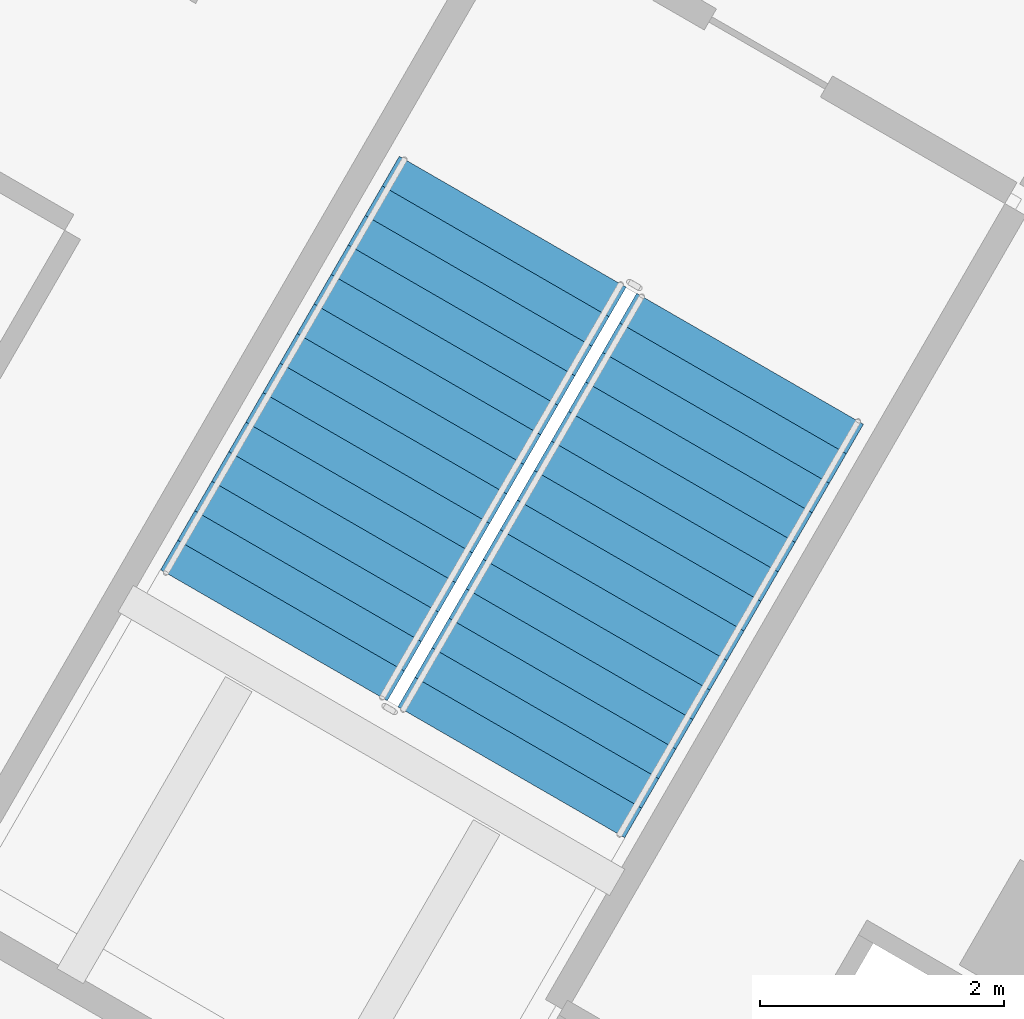
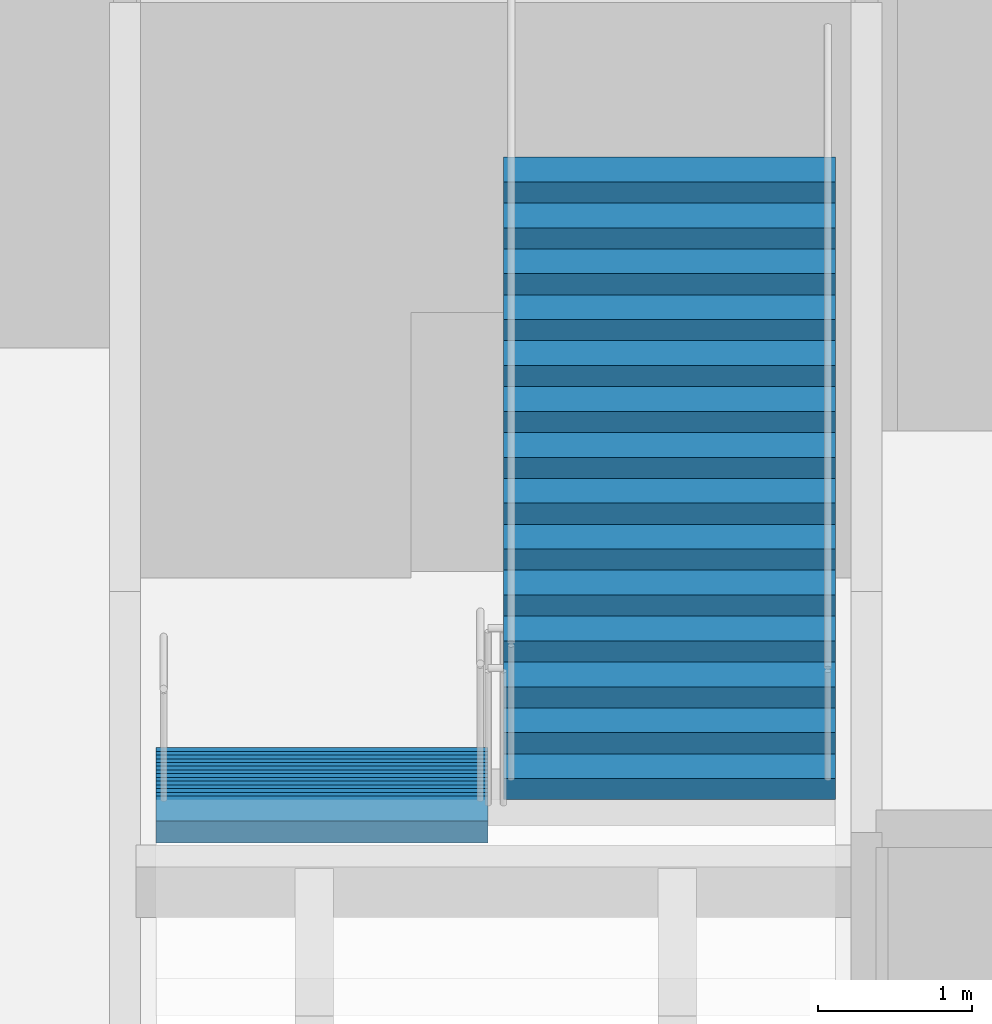
# One storey, part 13 of 24: 2 stair flights, 1 element without a shape of its own.
"""IFC4 building model written with IfcOpenShell, lengths in metres."""

from ifc_helpers import new_model, si_unit, direction, frame, origin, place, context, subcontext, project, spatial, triangles, material, type_object, element, aggregate, save


model = new_model("IFC4")

# Units and contexts
model_context = context("Model", 3, precision=1e-05, world=origin(), true_north=direction((0.0, 1.0)))
body_context = subcontext(model_context, "Body", "Model", "MODEL_VIEW")
ifc_project = project(units=[si_unit("LENGTHUNIT", "METRE"), si_unit("AREAUNIT", "SQUARE_METRE"), si_unit("VOLUMEUNIT", "CUBIC_METRE"), si_unit("PLANEANGLEUNIT", "RADIAN"), si_unit("MASSUNIT", "GRAM", prefix="KILO")], contexts=[model_context])

# Site, building, storey
site_placement = place(None, origin())
site = spatial("IfcSite", under=ifc_project, at=site_placement, CompositionType="ELEMENT")
building_placement = place(site_placement, origin())
building = spatial("IfcBuilding", under=site, at=building_placement, Name="Verdalira Terraces Hotel", CompositionType="ELEMENT")
storey_placement = place(building_placement, frame((0.0, 0.0, 14.0)))
storey = spatial("IfcBuildingStorey", under=building, at=storey_placement, Name="L02", CompositionType="ELEMENT", Elevation=14.0)

# Stair, stair flights
ifc_material_1 = material(Name="Concrete C40", Category="concrete")
stair_type = type_object("IfcStairType", Name="Podium stair 30 risers", PredefinedType="HALF_TURN_STAIR", material=ifc_material_1)
stair_placement = place(storey_placement, origin())
stair = element("IfcStair", 1, at=stair_placement, inside=storey, type_object=stair_type, Name="L02 Exit stair PS3", PredefinedType="HALF_TURN_STAIR")
ifc_material_2 = material(Name="Concrete C40", Category="concrete")
stair_flight_type = type_object("IfcStairFlightType", Name="Podium stair flight 30 risers", PredefinedType="STRAIGHT", material=ifc_material_2)
stair_flight_1_placement = place(storey_placement, frame((27.806396, -15.187988, 0.0), z_axis=(0.0, 0.0, 1.0), x_axis=(-0.5, -0.866025404, 0.0)))
stair_flight_1 = element("IfcStairFlight", 2, at=stair_flight_1_placement, type_object=stair_flight_type, Name="PS3 flight 1", NumberOfRisers=15, NumberOfTreads=14, PredefinedType="STRAIGHT", RiserHeight=0.166666667, TreadLength=0.28, context=body_context, shape_type="Tessellation", body=[
    triangles([(0.0, 1.074951, 0.0), (0.292969, 1.074951, 0.0), (3.919922, 1.074951, 2.158936), (0.0, -1.074951, 0.0), (0.292969, -1.074951, 0.0), (3.919922, -1.074951, 2.158936), (3.919922, 1.074951, 2.333252), (3.639893, 1.074951, 2.333252), (3.919922, -1.074951, 2.333252), (3.639893, -1.074951, 2.333252), (3.639893, 1.074951, 2.166748), (3.639893, -1.074951, 2.166748), (3.360107, 1.074951, 2.166748), (3.360107, -1.074951, 2.166748), (3.360107, 1.074951, 2.0), (3.360107, -1.074951, 2.0), (3.080078, 1.074951, 2.0), (3.080078, 1.074951, 1.833252), (3.080078, -1.074951, 2.0), (3.080078, -1.074951, 1.833252), (2.800049, 1.074951, 1.833252), (2.800049, 1.074951, 1.666748), (2.800049, -1.074951, 1.833252), (2.800049, -1.074951, 1.666748), (2.52002, 1.074951, 1.666748), (2.52002, 1.074951, 1.5), (2.52002, -1.074951, 1.666748), (2.52002, -1.074951, 1.5), (2.23999, 1.074951, 1.5), (2.23999, 1.074951, 1.333252), (2.23999, -1.074951, 1.5), (2.23999, -1.074951, 1.333252), (1.959961, 1.074951, 1.333252), (1.959961, 1.074951, 1.166748), (1.959961, -1.074951, 1.333252), (1.959961, -1.074951, 1.166748), (1.679932, 1.074951, 1.166748), (1.679932, 1.074951, 1.0), (1.679932, -1.074951, 1.166748), (1.679932, -1.074951, 1.0), (1.399902, 1.074951, 1.0), (1.399902, 1.074951, 0.833252), (1.399902, -1.074951, 1.0), (1.399902, -1.074951, 0.833252), (1.120117, 1.074951, 0.833252), (1.120117, 1.074951, 0.666748), (1.120117, -1.074951, 0.833252), (1.120117, -1.074951, 0.666748), (0.840088, 1.074951, 0.666748), (0.840088, 1.074951, 0.5), (0.840088, -1.074951, 0.666748), (0.840088, -1.074951, 0.5), (0.560059, 1.074951, 0.5), (0.560059, 1.074951, 0.333252), (0.560059, -1.074951, 0.5), (0.560059, -1.074951, 0.333252), (0.280029, 1.074951, 0.333252), (0.280029, 1.074951, 0.166748), (0.280029, -1.074951, 0.333252), (0.280029, -1.074951, 0.166748), (0.0, 1.074951, 0.166748), (0.0, -1.074951, 0.166748), (0.0, -1.007767, 0.0), (0.0, -1.007767, 0.166748), (0.0, -0.940582, 0.0), (0.0, -0.940582, 0.166748), (0.0, -0.873398, 0.0), (0.0, -0.873398, 0.166748), (0.0, -0.806213, 0.0), (0.0, -0.806213, 0.166748), (0.0, -0.739029, 0.0), (0.0, -0.739029, 0.166748), (0.0, -0.671844, 0.0), (0.0, -0.671844, 0.166748), (0.0, -0.60466, 0.0), (0.0, -0.60466, 0.166748), (0.0, -0.537476, 0.0), (0.0, -0.537476, 0.166748), (0.0, -0.470291, 0.0), (0.0, -0.470291, 0.166748), (0.0, -0.403107, 0.0), (0.0, -0.403107, 0.166748), (0.0, -0.335922, 0.0), (0.0, -0.335922, 0.166748), (0.0, -0.268738, 0.0), (0.0, -0.268738, 0.166748), (0.0, -0.201553, 0.0), (0.0, -0.201553, 0.166748), (0.0, -0.134369, 0.0), (0.0, -0.134369, 0.166748), (0.0, -0.067184, 0.0), (0.0, -0.067184, 0.166748), (0.0, 0.0, 0.0), (0.0, 0.0, 0.166748), (0.0, 0.067184, 0.0), (0.0, 0.067184, 0.166748), (0.0, 0.134369, 0.0), (0.0, 0.134369, 0.166748), (0.0, 0.201553, 0.0), (0.0, 0.201553, 0.166748), (0.0, 0.268738, 0.0), (0.0, 0.268738, 0.166748), (0.0, 0.335922, 0.0), (0.0, 0.335922, 0.166748), (0.0, 0.403107, 0.0), (0.0, 0.403107, 0.166748), (0.0, 0.470291, 0.0), (0.0, 0.470291, 0.166748), (0.0, 0.537476, 0.0), (0.0, 0.537476, 0.166748), (0.0, 0.60466, 0.0), (0.0, 0.60466, 0.166748), (0.0, 0.671844, 0.0), (0.0, 0.671844, 0.166748), (0.0, 0.739029, 0.0), (0.0, 0.739029, 0.166748), (0.0, 0.806213, 0.0), (0.0, 0.806213, 0.166748), (0.0, 0.873398, 0.0), (0.0, 0.873398, 0.166748), (0.0, 0.940582, 0.0), (0.0, 0.940582, 0.166748), (0.0, 1.007767, 0.0), (0.0, 1.007767, 0.166748), (3.919922, -1.007767, 2.333252), (3.919922, -0.940582, 2.333252), (3.919922, -0.873398, 2.333252), (3.919922, -0.806213, 2.333252), (3.919922, -0.739029, 2.333252), (3.919922, -0.671844, 2.333252), (3.919922, -0.60466, 2.333252), (3.919922, -0.537476, 2.333252), (3.919922, -0.470291, 2.333252), (3.919922, -0.403107, 2.333252), (3.919922, -0.335922, 2.333252), (3.919922, -0.268738, 2.333252), (3.919922, -0.201553, 2.333252), (3.919922, -0.134369, 2.333252), (3.919922, -0.067184, 2.333252), (3.919922, 0.0, 2.333252), (3.919922, 0.067184, 2.333252), (3.919922, 0.134369, 2.333252), (3.919922, 0.201553, 2.333252), (3.919922, 0.268738, 2.333252), (3.919922, 0.335922, 2.333252), (3.919922, 0.403107, 2.333252), (3.919922, 0.470291, 2.333252), (3.919922, 0.537476, 2.333252), (3.919922, 0.60466, 2.333252), (3.919922, 0.671844, 2.333252), (3.919922, 0.739029, 2.333252), (3.919922, 0.806213, 2.333252), (3.919922, 0.873398, 2.333252), (3.919922, 0.940582, 2.333252), (3.919922, 1.007767, 2.333252), (3.919922, -1.007767, 2.158936), (3.919922, -0.940582, 2.158936), (3.919922, -0.873398, 2.158936), (3.919922, -0.806213, 2.158936), (3.919922, -0.739029, 2.158936), (3.919922, -0.671844, 2.158936), (3.919922, -0.60466, 2.158936), (3.919922, -0.537476, 2.158936), (3.919922, -0.470291, 2.158936), (3.919922, -0.403107, 2.158936), (3.919922, -0.335922, 2.158936), (3.919922, -0.268738, 2.158936), (3.919922, -0.201553, 2.158936), (3.919922, -0.134369, 2.158936), (3.919922, -0.067184, 2.158936), (3.919922, 0.0, 2.158936), (3.919922, 0.067184, 2.158936), (3.919922, 0.134369, 2.158936), (3.919922, 0.201553, 2.158936), (3.919922, 0.268738, 2.158936), (3.919922, 0.335922, 2.158936), (3.919922, 0.403107, 2.158936), (3.919922, 0.470291, 2.158936), (3.919922, 0.537476, 2.158936), (3.919922, 0.60466, 2.158936), (3.919922, 0.671844, 2.158936), (3.919922, 0.739029, 2.158936), (3.919922, 0.806213, 2.158936), (3.919922, 0.873398, 2.158936), (3.919922, 0.940582, 2.158936), (3.919922, 1.007767, 2.158936)], [[1, 3, 2], [4, 5, 6], [3, 8, 7], [6, 9, 10], [3, 11, 8], [6, 10, 12], [3, 13, 11], [6, 12, 14], [3, 15, 13], [6, 14, 16], [15, 18, 17], [16, 19, 20], [3, 18, 15], [6, 16, 20], [18, 22, 21], [20, 23, 24], [3, 22, 18], [6, 20, 24], [22, 26, 25], [24, 27, 28], [3, 26, 22], [6, 24, 28], [26, 30, 29], [28, 31, 32], [3, 30, 26], [6, 28, 32], [30, 34, 33], [32, 35, 36], [3, 34, 30], [6, 32, 36], [34, 38, 37], [36, 39, 40], [3, 38, 34], [6, 36, 40], [38, 42, 41], [40, 43, 44], [3, 42, 38], [6, 40, 44], [42, 46, 45], [44, 47, 48], [3, 46, 42], [6, 44, 48], [46, 50, 49], [48, 51, 52], [3, 50, 46], [6, 48, 52], [50, 54, 53], [52, 55, 56], [3, 54, 50], [6, 52, 56], [1, 54, 3], [4, 6, 56], [54, 58, 57], [56, 59, 60], [1, 58, 54], [4, 56, 60], [58, 1, 61], [60, 62, 4], [4, 64, 63], [4, 62, 64], [63, 66, 65], [63, 64, 66], [65, 68, 67], [65, 66, 68], [67, 70, 69], [67, 68, 70], [69, 72, 71], [69, 70, 72], [71, 74, 73], [71, 72, 74], [73, 76, 75], [73, 74, 76], [75, 78, 77], [75, 76, 78], [77, 80, 79], [77, 78, 80], [79, 82, 81], [79, 80, 82], [81, 84, 83], [81, 82, 84], [83, 86, 85], [83, 84, 86], [85, 88, 87], [85, 86, 88], [87, 90, 89], [87, 88, 90], [89, 92, 91], [89, 90, 92], [91, 94, 93], [91, 92, 94], [93, 96, 95], [93, 94, 96], [95, 98, 97], [95, 96, 98], [97, 100, 99], [97, 98, 100], [99, 102, 101], [99, 100, 102], [101, 104, 103], [101, 102, 104], [103, 106, 105], [103, 104, 106], [105, 108, 107], [105, 106, 108], [107, 110, 109], [107, 108, 110], [109, 112, 111], [109, 110, 112], [111, 114, 113], [111, 112, 114], [113, 116, 115], [113, 114, 116], [115, 118, 117], [115, 116, 118], [117, 120, 119], [117, 118, 120], [119, 122, 121], [119, 120, 122], [121, 124, 123], [121, 122, 124], [123, 61, 1], [123, 124, 61], [62, 60, 64], [64, 60, 66], [66, 60, 68], [68, 60, 70], [70, 60, 72], [72, 60, 74], [74, 60, 76], [76, 60, 78], [78, 60, 80], [80, 60, 82], [82, 60, 84], [84, 60, 86], [86, 60, 88], [88, 60, 90], [90, 60, 92], [92, 60, 94], [94, 60, 96], [96, 60, 98], [98, 60, 100], [100, 60, 102], [102, 60, 104], [104, 60, 106], [106, 60, 108], [108, 60, 110], [110, 60, 112], [112, 60, 114], [114, 60, 116], [116, 60, 118], [118, 60, 120], [120, 60, 122], [122, 60, 124], [124, 60, 61], [61, 60, 58], [60, 57, 58], [60, 59, 57], [59, 54, 57], [59, 56, 54], [56, 53, 54], [56, 55, 53], [55, 50, 53], [55, 52, 50], [52, 49, 50], [52, 51, 49], [51, 46, 49], [51, 48, 46], [48, 45, 46], [48, 47, 45], [47, 42, 45], [47, 44, 42], [44, 41, 42], [44, 43, 41], [43, 38, 41], [43, 40, 38], [40, 37, 38], [40, 39, 37], [39, 34, 37], [39, 36, 34], [36, 33, 34], [36, 35, 33], [35, 30, 33], [35, 32, 30], [32, 29, 30], [32, 31, 29], [31, 26, 29], [31, 28, 26], [28, 25, 26], [28, 27, 25], [27, 22, 25], [27, 24, 22], [24, 21, 22], [24, 23, 21], [23, 18, 21], [23, 20, 18], [20, 17, 18], [20, 19, 17], [19, 15, 17], [19, 16, 15], [16, 13, 15], [16, 14, 13], [14, 11, 13], [14, 12, 11], [12, 8, 11], [12, 10, 8], [9, 125, 10], [125, 126, 10], [126, 127, 10], [127, 128, 10], [128, 129, 10], [129, 130, 10], [130, 131, 10], [131, 132, 10], [132, 133, 10], [133, 134, 10], [134, 135, 10], [135, 136, 10], [136, 137, 10], [137, 138, 10], [138, 139, 10], [139, 140, 10], [140, 141, 10], [141, 142, 10], [142, 143, 10], [143, 144, 10], [144, 145, 10], [145, 146, 10], [146, 147, 10], [147, 148, 10], [148, 149, 10], [149, 150, 10], [150, 151, 10], [151, 152, 10], [152, 153, 10], [153, 154, 10], [154, 155, 10], [155, 7, 10], [7, 8, 10], [9, 156, 125], [9, 6, 156], [125, 157, 126], [125, 156, 157], [126, 158, 127], [126, 157, 158], [127, 159, 128], [127, 158, 159], [128, 160, 129], [128, 159, 160], [129, 161, 130], [129, 160, 161], [130, 162, 131], [130, 161, 162], [131, 163, 132], [131, 162, 163], [132, 164, 133], [132, 163, 164], [133, 165, 134], [133, 164, 165], [134, 166, 135], [134, 165, 166], [135, 167, 136], [135, 166, 167], [136, 168, 137], [136, 167, 168], [137, 169, 138], [137, 168, 169], [138, 170, 139], [138, 169, 170], [139, 171, 140], [139, 170, 171], [140, 172, 141], [140, 171, 172], [141, 173, 142], [141, 172, 173], [142, 174, 143], [142, 173, 174], [143, 175, 144], [143, 174, 175], [144, 176, 145], [144, 175, 176], [145, 177, 146], [145, 176, 177], [146, 178, 147], [146, 177, 178], [147, 179, 148], [147, 178, 179], [148, 180, 149], [148, 179, 180], [149, 181, 150], [149, 180, 181], [150, 182, 151], [150, 181, 182], [151, 183, 152], [151, 182, 183], [152, 184, 153], [152, 183, 184], [153, 185, 154], [153, 184, 185], [154, 186, 155], [154, 185, 186], [155, 3, 7], [155, 186, 3], [6, 5, 156], [156, 5, 157], [157, 5, 158], [158, 5, 159], [159, 5, 160], [160, 5, 161], [161, 5, 162], [162, 5, 163], [163, 5, 164], [164, 5, 165], [165, 5, 166], [166, 5, 167], [167, 5, 168], [168, 5, 169], [169, 5, 170], [170, 5, 171], [171, 5, 172], [172, 5, 173], [173, 5, 174], [174, 5, 175], [175, 5, 176], [176, 5, 177], [177, 5, 178], [178, 5, 179], [179, 5, 180], [180, 5, 181], [181, 5, 182], [182, 5, 183], [183, 5, 184], [184, 5, 185], [185, 5, 186], [186, 5, 3], [3, 5, 2], [4, 63, 5], [63, 65, 5], [65, 67, 5], [67, 69, 5], [69, 71, 5], [71, 73, 5], [73, 75, 5], [75, 77, 5], [77, 79, 5], [79, 81, 5], [81, 83, 5], [83, 85, 5], [85, 87, 5], [87, 89, 5], [89, 91, 5], [91, 93, 5], [93, 95, 5], [95, 97, 5], [97, 99, 5], [99, 101, 5], [101, 103, 5], [103, 105, 5], [105, 107, 5], [107, 109, 5], [109, 111, 5], [111, 113, 5], [113, 115, 5], [115, 117, 5], [117, 119, 5], [119, 121, 5], [121, 123, 5], [123, 1, 5], [1, 2, 5]], closed=True),
])
stair_flight_2_placement = place(storey_placement, frame((27.794922, -19.707764, 2.5), z_axis=(0.0, 0.0, 1.0), x_axis=(0.5, 0.866025404, 0.0)))
stair_flight_2 = element("IfcStairFlight", 3, at=stair_flight_2_placement, type_object=stair_flight_type, Name="PS3 flight 2", NumberOfRisers=15, NumberOfTreads=14, PredefinedType="STRAIGHT", RiserHeight=0.166666667, TreadLength=0.28, context=body_context, shape_type="Tessellation", body=[
    triangles([(0.0, 1.074951, 0.0), (0.292969, 1.074951, 0.0), (3.919922, 1.074951, 2.158936), (0.0, -1.074951, 0.0), (0.292969, -1.074951, 0.0), (3.919922, -1.074951, 2.158936), (3.919922, 1.074951, 2.333252), (3.639893, 1.074951, 2.333252), (3.919922, -1.074951, 2.333252), (3.639893, -1.074951, 2.333252), (3.639893, 1.074951, 2.166748), (3.639893, -1.074951, 2.166748), (3.360107, 1.074951, 2.166748), (3.360107, -1.074951, 2.166748), (3.360107, 1.074951, 2.0), (3.360107, -1.074951, 2.0), (3.080078, 1.074951, 2.0), (3.080078, 1.074951, 1.833252), (3.080078, -1.074951, 2.0), (3.080078, -1.074951, 1.833252), (2.800049, 1.074951, 1.833252), (2.800049, 1.074951, 1.666748), (2.800049, -1.074951, 1.833252), (2.800049, -1.074951, 1.666748), (2.52002, 1.074951, 1.666748), (2.52002, 1.074951, 1.5), (2.52002, -1.074951, 1.666748), (2.52002, -1.074951, 1.5), (2.23999, 1.074951, 1.5), (2.23999, 1.074951, 1.333252), (2.23999, -1.074951, 1.5), (2.23999, -1.074951, 1.333252), (1.959961, 1.074951, 1.333252), (1.959961, 1.074951, 1.166748), (1.959961, -1.074951, 1.333252), (1.959961, -1.074951, 1.166748), (1.679932, 1.074951, 1.166748), (1.679932, 1.074951, 1.0), (1.679932, -1.074951, 1.166748), (1.679932, -1.074951, 1.0), (1.399902, 1.074951, 1.0), (1.399902, 1.074951, 0.833252), (1.399902, -1.074951, 1.0), (1.399902, -1.074951, 0.833252), (1.120117, 1.074951, 0.833252), (1.120117, 1.074951, 0.666748), (1.120117, -1.074951, 0.833252), (1.120117, -1.074951, 0.666748), (0.840088, 1.074951, 0.666748), (0.840088, 1.074951, 0.5), (0.840088, -1.074951, 0.666748), (0.840088, -1.074951, 0.5), (0.560059, 1.074951, 0.5), (0.560059, 1.074951, 0.333252), (0.560059, -1.074951, 0.5), (0.560059, -1.074951, 0.333252), (0.280029, 1.074951, 0.333252), (0.280029, 1.074951, 0.166748), (0.280029, -1.074951, 0.333252), (0.280029, -1.074951, 0.166748), (0.0, 1.074951, 0.166748), (0.0, -1.074951, 0.166748), (0.0, -1.007767, 0.0), (0.0, -1.007767, 0.166748), (0.0, -0.940582, 0.0), (0.0, -0.940582, 0.166748), (0.0, -0.873398, 0.0), (0.0, -0.873398, 0.166748), (0.0, -0.806213, 0.0), (0.0, -0.806213, 0.166748), (0.0, -0.739029, 0.0), (0.0, -0.739029, 0.166748), (0.0, -0.671844, 0.0), (0.0, -0.671844, 0.166748), (0.0, -0.60466, 0.0), (0.0, -0.60466, 0.166748), (0.0, -0.537476, 0.0), (0.0, -0.537476, 0.166748), (0.0, -0.470291, 0.0), (0.0, -0.470291, 0.166748), (0.0, -0.403107, 0.0), (0.0, -0.403107, 0.166748), (0.0, -0.335922, 0.0), (0.0, -0.335922, 0.166748), (0.0, -0.268738, 0.0), (0.0, -0.268738, 0.166748), (0.0, -0.201553, 0.0), (0.0, -0.201553, 0.166748), (0.0, -0.134369, 0.0), (0.0, -0.134369, 0.166748), (0.0, -0.067184, 0.0), (0.0, -0.067184, 0.166748), (0.0, 0.0, 0.0), (0.0, 0.0, 0.166748), (0.0, 0.067184, 0.0), (0.0, 0.067184, 0.166748), (0.0, 0.134369, 0.0), (0.0, 0.134369, 0.166748), (0.0, 0.201553, 0.0), (0.0, 0.201553, 0.166748), (0.0, 0.268738, 0.0), (0.0, 0.268738, 0.166748), (0.0, 0.335922, 0.0), (0.0, 0.335922, 0.166748), (0.0, 0.403107, 0.0), (0.0, 0.403107, 0.166748), (0.0, 0.470291, 0.0), (0.0, 0.470291, 0.166748), (0.0, 0.537476, 0.0), (0.0, 0.537476, 0.166748), (0.0, 0.60466, 0.0), (0.0, 0.60466, 0.166748), (0.0, 0.671844, 0.0), (0.0, 0.671844, 0.166748), (0.0, 0.739029, 0.0), (0.0, 0.739029, 0.166748), (0.0, 0.806213, 0.0), (0.0, 0.806213, 0.166748), (0.0, 0.873398, 0.0), (0.0, 0.873398, 0.166748), (0.0, 0.940582, 0.0), (0.0, 0.940582, 0.166748), (0.0, 1.007767, 0.0), (0.0, 1.007767, 0.166748), (3.919922, -1.007767, 2.333252), (3.919922, -0.940582, 2.333252), (3.919922, -0.873398, 2.333252), (3.919922, -0.806213, 2.333252), (3.919922, -0.739029, 2.333252), (3.919922, -0.671844, 2.333252), (3.919922, -0.60466, 2.333252), (3.919922, -0.537476, 2.333252), (3.919922, -0.470291, 2.333252), (3.919922, -0.403107, 2.333252), (3.919922, -0.335922, 2.333252), (3.919922, -0.268738, 2.333252), (3.919922, -0.201553, 2.333252), (3.919922, -0.134369, 2.333252), (3.919922, -0.067184, 2.333252), (3.919922, 0.0, 2.333252), (3.919922, 0.067184, 2.333252), (3.919922, 0.134369, 2.333252), (3.919922, 0.201553, 2.333252), (3.919922, 0.268738, 2.333252), (3.919922, 0.335922, 2.333252), (3.919922, 0.403107, 2.333252), (3.919922, 0.470291, 2.333252), (3.919922, 0.537476, 2.333252), (3.919922, 0.60466, 2.333252), (3.919922, 0.671844, 2.333252), (3.919922, 0.739029, 2.333252), (3.919922, 0.806213, 2.333252), (3.919922, 0.873398, 2.333252), (3.919922, 0.940582, 2.333252), (3.919922, 1.007767, 2.333252), (3.919922, -1.007767, 2.158936), (3.919922, -0.940582, 2.158936), (3.919922, -0.873398, 2.158936), (3.919922, -0.806213, 2.158936), (3.919922, -0.739029, 2.158936), (3.919922, -0.671844, 2.158936), (3.919922, -0.60466, 2.158936), (3.919922, -0.537476, 2.158936), (3.919922, -0.470291, 2.158936), (3.919922, -0.403107, 2.158936), (3.919922, -0.335922, 2.158936), (3.919922, -0.268738, 2.158936), (3.919922, -0.201553, 2.158936), (3.919922, -0.134369, 2.158936), (3.919922, -0.067184, 2.158936), (3.919922, 0.0, 2.158936), (3.919922, 0.067184, 2.158936), (3.919922, 0.134369, 2.158936), (3.919922, 0.201553, 2.158936), (3.919922, 0.268738, 2.158936), (3.919922, 0.335922, 2.158936), (3.919922, 0.403107, 2.158936), (3.919922, 0.470291, 2.158936), (3.919922, 0.537476, 2.158936), (3.919922, 0.60466, 2.158936), (3.919922, 0.671844, 2.158936), (3.919922, 0.739029, 2.158936), (3.919922, 0.806213, 2.158936), (3.919922, 0.873398, 2.158936), (3.919922, 0.940582, 2.158936), (3.919922, 1.007767, 2.158936)], [[1, 3, 2], [4, 5, 6], [3, 8, 7], [6, 9, 10], [3, 11, 8], [6, 10, 12], [3, 13, 11], [6, 12, 14], [3, 15, 13], [6, 14, 16], [15, 18, 17], [16, 19, 20], [3, 18, 15], [6, 16, 20], [18, 22, 21], [20, 23, 24], [3, 22, 18], [6, 20, 24], [22, 26, 25], [24, 27, 28], [3, 26, 22], [6, 24, 28], [26, 30, 29], [28, 31, 32], [3, 30, 26], [6, 28, 32], [30, 34, 33], [32, 35, 36], [3, 34, 30], [6, 32, 36], [34, 38, 37], [36, 39, 40], [3, 38, 34], [6, 36, 40], [38, 42, 41], [40, 43, 44], [3, 42, 38], [6, 40, 44], [42, 46, 45], [44, 47, 48], [3, 46, 42], [6, 44, 48], [46, 50, 49], [48, 51, 52], [3, 50, 46], [6, 48, 52], [50, 54, 53], [52, 55, 56], [3, 54, 50], [6, 52, 56], [1, 54, 3], [4, 6, 56], [54, 58, 57], [56, 59, 60], [1, 58, 54], [4, 56, 60], [58, 1, 61], [60, 62, 4], [4, 64, 63], [4, 62, 64], [63, 66, 65], [63, 64, 66], [65, 68, 67], [65, 66, 68], [67, 70, 69], [67, 68, 70], [69, 72, 71], [69, 70, 72], [71, 74, 73], [71, 72, 74], [73, 76, 75], [73, 74, 76], [75, 78, 77], [75, 76, 78], [77, 80, 79], [77, 78, 80], [79, 82, 81], [79, 80, 82], [81, 84, 83], [81, 82, 84], [83, 86, 85], [83, 84, 86], [85, 88, 87], [85, 86, 88], [87, 90, 89], [87, 88, 90], [89, 92, 91], [89, 90, 92], [91, 94, 93], [91, 92, 94], [93, 96, 95], [93, 94, 96], [95, 98, 97], [95, 96, 98], [97, 100, 99], [97, 98, 100], [99, 102, 101], [99, 100, 102], [101, 104, 103], [101, 102, 104], [103, 106, 105], [103, 104, 106], [105, 108, 107], [105, 106, 108], [107, 110, 109], [107, 108, 110], [109, 112, 111], [109, 110, 112], [111, 114, 113], [111, 112, 114], [113, 116, 115], [113, 114, 116], [115, 118, 117], [115, 116, 118], [117, 120, 119], [117, 118, 120], [119, 122, 121], [119, 120, 122], [121, 124, 123], [121, 122, 124], [123, 61, 1], [123, 124, 61], [62, 60, 64], [64, 60, 66], [66, 60, 68], [68, 60, 70], [70, 60, 72], [72, 60, 74], [74, 60, 76], [76, 60, 78], [78, 60, 80], [80, 60, 82], [82, 60, 84], [84, 60, 86], [86, 60, 88], [88, 60, 90], [90, 60, 92], [92, 60, 94], [94, 60, 96], [96, 60, 98], [98, 60, 100], [100, 60, 102], [102, 60, 104], [104, 60, 106], [106, 60, 108], [108, 60, 110], [110, 60, 112], [112, 60, 114], [114, 60, 116], [116, 60, 118], [118, 60, 120], [120, 60, 122], [122, 60, 124], [124, 60, 61], [61, 60, 58], [60, 57, 58], [60, 59, 57], [59, 54, 57], [59, 56, 54], [56, 53, 54], [56, 55, 53], [55, 50, 53], [55, 52, 50], [52, 49, 50], [52, 51, 49], [51, 46, 49], [51, 48, 46], [48, 45, 46], [48, 47, 45], [47, 42, 45], [47, 44, 42], [44, 41, 42], [44, 43, 41], [43, 38, 41], [43, 40, 38], [40, 37, 38], [40, 39, 37], [39, 34, 37], [39, 36, 34], [36, 33, 34], [36, 35, 33], [35, 30, 33], [35, 32, 30], [32, 29, 30], [32, 31, 29], [31, 26, 29], [31, 28, 26], [28, 25, 26], [28, 27, 25], [27, 22, 25], [27, 24, 22], [24, 21, 22], [24, 23, 21], [23, 18, 21], [23, 20, 18], [20, 17, 18], [20, 19, 17], [19, 15, 17], [19, 16, 15], [16, 13, 15], [16, 14, 13], [14, 11, 13], [14, 12, 11], [12, 8, 11], [12, 10, 8], [9, 125, 10], [125, 126, 10], [126, 127, 10], [127, 128, 10], [128, 129, 10], [129, 130, 10], [130, 131, 10], [131, 132, 10], [132, 133, 10], [133, 134, 10], [134, 135, 10], [135, 136, 10], [136, 137, 10], [137, 138, 10], [138, 139, 10], [139, 140, 10], [140, 141, 10], [141, 142, 10], [142, 143, 10], [143, 144, 10], [144, 145, 10], [145, 146, 10], [146, 147, 10], [147, 148, 10], [148, 149, 10], [149, 150, 10], [150, 151, 10], [151, 152, 10], [152, 153, 10], [153, 154, 10], [154, 155, 10], [155, 7, 10], [7, 8, 10], [9, 156, 125], [9, 6, 156], [125, 157, 126], [125, 156, 157], [126, 158, 127], [126, 157, 158], [127, 159, 128], [127, 158, 159], [128, 160, 129], [128, 159, 160], [129, 161, 130], [129, 160, 161], [130, 162, 131], [130, 161, 162], [131, 163, 132], [131, 162, 163], [132, 164, 133], [132, 163, 164], [133, 165, 134], [133, 164, 165], [134, 166, 135], [134, 165, 166], [135, 167, 136], [135, 166, 167], [136, 168, 137], [136, 167, 168], [137, 169, 138], [137, 168, 169], [138, 170, 139], [138, 169, 170], [139, 171, 140], [139, 170, 171], [140, 172, 141], [140, 171, 172], [141, 173, 142], [141, 172, 173], [142, 174, 143], [142, 173, 174], [143, 175, 144], [143, 174, 175], [144, 176, 145], [144, 175, 176], [145, 177, 146], [145, 176, 177], [146, 178, 147], [146, 177, 178], [147, 179, 148], [147, 178, 179], [148, 180, 149], [148, 179, 180], [149, 181, 150], [149, 180, 181], [150, 182, 151], [150, 181, 182], [151, 183, 152], [151, 182, 183], [152, 184, 153], [152, 183, 184], [153, 185, 154], [153, 184, 185], [154, 186, 155], [154, 185, 186], [155, 3, 7], [155, 186, 3], [6, 5, 156], [156, 5, 157], [157, 5, 158], [158, 5, 159], [159, 5, 160], [160, 5, 161], [161, 5, 162], [162, 5, 163], [163, 5, 164], [164, 5, 165], [165, 5, 166], [166, 5, 167], [167, 5, 168], [168, 5, 169], [169, 5, 170], [170, 5, 171], [171, 5, 172], [172, 5, 173], [173, 5, 174], [174, 5, 175], [175, 5, 176], [176, 5, 177], [177, 5, 178], [178, 5, 179], [179, 5, 180], [180, 5, 181], [181, 5, 182], [182, 5, 183], [183, 5, 184], [184, 5, 185], [185, 5, 186], [186, 5, 3], [3, 5, 2], [4, 63, 5], [63, 65, 5], [65, 67, 5], [67, 69, 5], [69, 71, 5], [71, 73, 5], [73, 75, 5], [75, 77, 5], [77, 79, 5], [79, 81, 5], [81, 83, 5], [83, 85, 5], [85, 87, 5], [87, 89, 5], [89, 91, 5], [91, 93, 5], [93, 95, 5], [95, 97, 5], [97, 99, 5], [99, 101, 5], [101, 103, 5], [103, 105, 5], [105, 107, 5], [107, 109, 5], [109, 111, 5], [111, 113, 5], [113, 115, 5], [115, 117, 5], [117, 119, 5], [119, 121, 5], [121, 123, 5], [123, 1, 5], [1, 2, 5]], closed=True),
])
aggregate(stair, [stair_flight_1, stair_flight_2])

save(model, "model.ifc")
